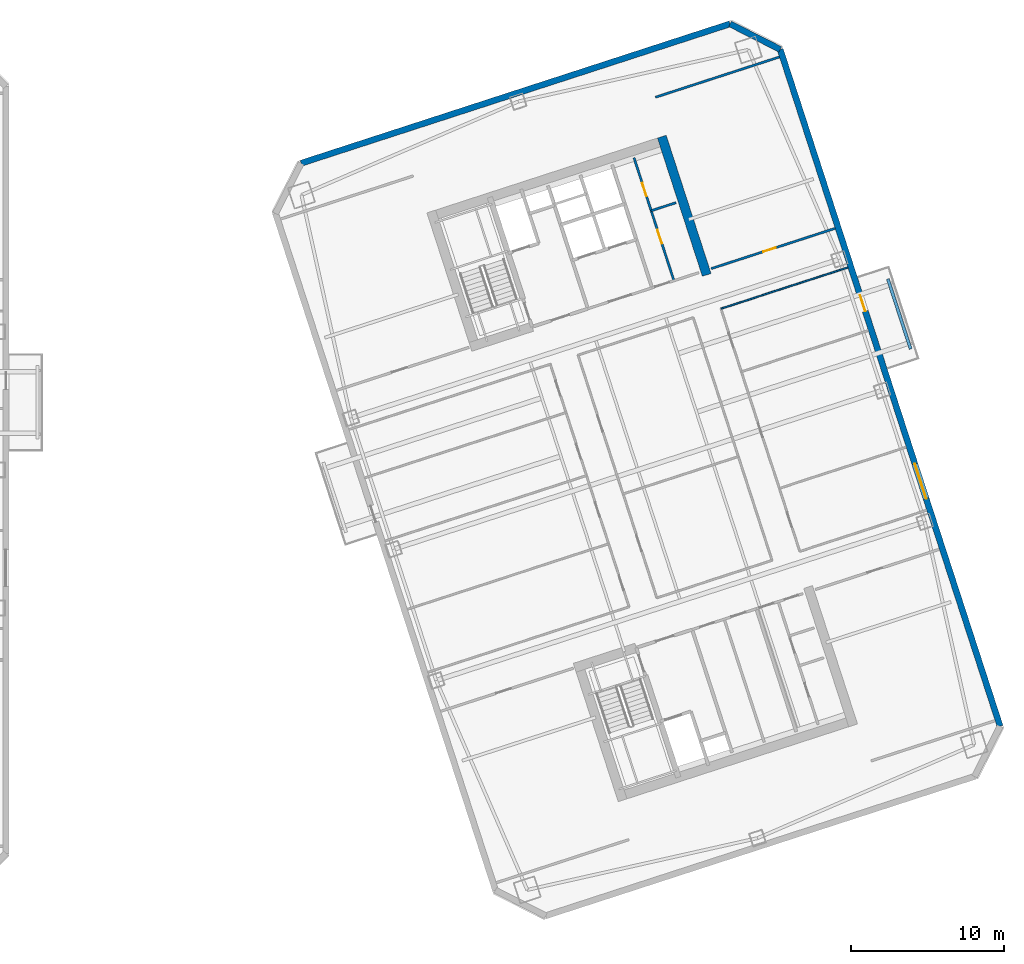
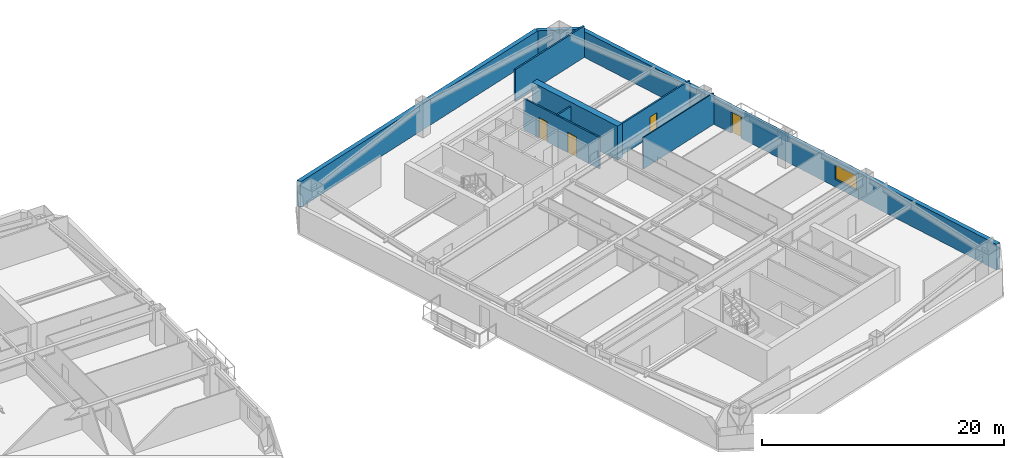
# One storey, part 9 of 15: 10 walls, 4 doors, 1 window, 5 openings.
"""IFC4 building model written with IfcOpenShell, lengths in metres."""

from ifc_helpers import new_model, si_unit, direction, frame, frame_2d, origin, place, context, subcontext, project, spatial, rectangle, extrude, material, layer, layer_set, type_object, element, fill, save


model = new_model("IFC4")

# Units and contexts
model_context = context("Model", 3, precision=1e-05, world=origin(), true_north=direction((0.0, 1.0)))
body_context = subcontext(model_context, "Body", "Model", "MODEL_VIEW")
ifc_project = project(units=[si_unit("LENGTHUNIT", "METRE"), si_unit("AREAUNIT", "SQUARE_METRE"), si_unit("VOLUMEUNIT", "CUBIC_METRE"), si_unit("PLANEANGLEUNIT", "RADIAN"), si_unit("MASSUNIT", "GRAM", prefix="KILO")], contexts=[model_context])

# Site, building, storey
site_placement = place(None, origin())
site = spatial("IfcSite", under=ifc_project, at=site_placement, CompositionType="ELEMENT")
building_placement = place(site_placement, origin())
building = spatial("IfcBuilding", under=site, at=building_placement, Name="Qiaolan Cultural Towers", CompositionType="ELEMENT")
storey_placement = place(building_placement, frame((0.0, 0.0, 113.85009765625)))
storey = spatial("IfcBuildingStorey", under=building, at=storey_placement, Name="L29", CompositionType="ELEMENT", Elevation=113.85009765625)

# Walls
ifc_material_1 = material(Name="Concrete C55", Category="concrete")
ifc_layer_1 = layer(ifc_material_1, 0.60009765625)
ifc_layer_set_1 = layer_set([ifc_layer_1], Name="Concrete C55")
wall_type_1 = type_object("IfcWallType", Name="WL-CORE-600", PredefinedType="SHEAR", material=ifc_layer_set_1)
wall_1_placement = place(storey_placement, frame((94.4921875, 46.710205078125, 0.0), z_axis=(0.0, 0.0, 1.0), x_axis=(-0.309010370028, 0.95105866865, 0.0)))
element("IfcWall", 1, at=wall_1_placement, inside=storey, type_object=wall_type_1, Name="L29 T2-CN East Core Shear Wall", PredefinedType="SHEAR", context=body_context, shape_type="SweptSolid", body=[
    extrude(rectangle(XDim=9.47998046875, YDim=0.60009765625, at=frame_2d((4.739990234375, 0.0))), origin(), (0.0, 0.0, 1.0), 3.449951171875),
])
ifc_material_2 = material(Name="Precast Concrete C50 Honed Stone Pier", Category="masonry")
ifc_layer_2 = layer(ifc_material_2, 0.39990234375)
ifc_layer_set_2 = layer_set([ifc_layer_2], Name="Precast Concrete C50 Honed Stone Pier")
wall_type_2 = type_object("IfcWallType", Name="WL-EXT-PIER-400", PredefinedType="SOLIDWALL", material=ifc_layer_set_2)
wall_2_placement = place(storey_placement, frame((68.046875, 53.99462890625, 0.0), z_axis=(0.0, 0.0, 1.0), x_axis=(0.95105505922, 0.309021478754, 0.0)))
element("IfcWall", 2, at=wall_2_placement, inside=storey, type_object=wall_type_2, Name="L29 East Tower Precast Pier Facade Wall F3", PredefinedType="SOLIDWALL", context=body_context, shape_type="SweptSolid", body=[
    extrude(rectangle(XDim=29.39990234375, YDim=0.39990234375, at=frame_2d((14.699951171875, 0.0))), origin(), (0.0, 0.0, 1.0), 2.60986328125),
])
wall_3_placement = place(storey_placement, frame((96.0078125, 63.079833984375, 0.0), z_axis=(0.0, 0.0, 1.0), x_axis=(0.891001999643, -0.45399937955, 0.0)))
element("IfcWall", 3, at=wall_3_placement, inside=storey, type_object=wall_type_2, Name="L29 East Tower Precast Pier Facade Wall F4", PredefinedType="SOLIDWALL", context=body_context, shape_type="SweptSolid", body=[
    extrude(rectangle(XDim=3.67724609375, YDim=0.39990234375, at=frame_2d((1.838623046875, 0.0))), origin(), (0.0, 0.0, 1.0), 2.60986328125),
])

# Wall, openings, door, window
wall_4_placement = place(storey_placement, frame((99.2841796875, 61.410400390625, 0.0), z_axis=(0.0, 0.0, 1.0), x_axis=(0.309017542002, -0.95105633836, 0.0)))
wall_4 = element("IfcWall", 4, at=wall_4_placement, inside=storey, type_object=wall_type_2, Name="L29 East Tower Precast Pier Facade Wall F5", PredefinedType="SOLIDWALL", context=body_context, shape_type="SweptSolid", body=[
    extrude(rectangle(XDim=46.39990234375, YDim=0.39990234375, at=frame_2d((23.199951171875, 0.0))), origin(), (0.0, 0.0, 1.0), 2.60986328125),
])
opening_1_placement = place(wall_4_placement, frame((28.39990234375, 0.0, 0.75)))
opening_1 = element("IfcOpeningElement", 5, at=opening_1_placement, cuts=wall_4, Name="Opening W-02", PredefinedType="OPENING", context=body_context, shape_type="SweptSolid", body=[
    extrude(rectangle(XDim=2.39990234375, YDim=1.4599609375, at=frame_2d((1.199951171875, 0.72998046875))), frame((0.0, 0.2099609375, 0.0), z_axis=(0.0, -1.0, 0.0), x_axis=(1.0, 0.0, 0.0)), (0.0, 0.0, 1.0), 0.419921875),
])
opening_2_placement = place(wall_4_placement, frame((16.85009765625, 0.0, 0.0)))
opening_2 = element("IfcOpeningElement", 6, at=opening_2_placement, cuts=wall_4, Name="Opening BD-01", PredefinedType="OPENING", context=body_context, shape_type="SweptSolid", body=[
    extrude(rectangle(XDim=1.10009765625, YDim=2.14990234375, at=frame_2d((0.550048828125, 1.074951171875))), frame((0.0, 0.2099609375, 0.0), z_axis=(0.0, -1.0, 0.0), x_axis=(1.0, 0.0, 0.0)), (0.0, 0.0, 1.0), 0.419921875),
])
ifc_material_3 = material(Name="Thermally Broken Aluminium Glazed Terrace Door", Category="aluminium")
door_type_1 = type_object("IfcDoorType", Name="DR-BAL-1100", OperationType="NOTDEFINED", PredefinedType="DOOR", material=ifc_material_3)
door_1_placement = place(opening_2_placement, origin())
door_1 = element("IfcDoor", 7, at=door_1_placement, inside=storey, type_object=door_type_1, Name="L29 T2 East Tree Balcony Door", OperationType="SINGLE_SWING_RIGHT", OverallHeight=2.14990234375, OverallWidth=1.10009765625, PredefinedType="DOOR", context=body_context, shape_type="SweptSolid", body=[
    extrude(rectangle(XDim=1.10009765625, YDim=2.14990234375, at=frame_2d((0.550048828125, 1.074951171875))), frame((0.0, 0.02490234375, 0.0), z_axis=(0.0, -1.0, 0.0), x_axis=(1.0, 0.0, 0.0)), (0.0, 0.0, 1.0), 0.050048828125),
])
fill(opening_2, door_1)
ifc_material_4 = material(Name="Thermally Broken Aluminium Triple Low-E Glazing", Category="aluminium")
window_type = type_object("IfcWindowType", Name="WN-CHIC-2400", PartitioningType="SINGLE_PANEL", PredefinedType="WINDOW", material=ifc_material_4)
window_placement = place(opening_1_placement, origin())
window = element("IfcWindow", 8, at=window_placement, inside=storey, type_object=window_type, Name="L29 T2 E Chicago Bay Window 1", OverallHeight=1.4599609375, OverallWidth=2.39990234375, PartitioningType="TRIPLE_PANEL_VERTICAL", PredefinedType="WINDOW", context=body_context, shape_type="SweptSolid", body=[
    extrude(rectangle(XDim=2.39990234375, YDim=1.4599609375, at=frame_2d((1.199951171875, 0.72998046875))), frame((0.0, 0.030029296875, 0.0), z_axis=(0.0, -1.0, 0.0), x_axis=(1.0, 0.0, 0.0)), (0.0, 0.0, 1.0), 0.06005859375),
])
fill(opening_1, window)

# Wall
ifc_material_5 = material(Name="Acoustic Double-Glazed Partition Frame", Category="glass")
ifc_layer_3 = layer(ifc_material_5, 0.10009765625)
ifc_layer_set_3 = layer_set([ifc_layer_3], Name="Acoustic Double-Glazed Partition Frame")
wall_type_3 = type_object("IfcWallType", Name="WL-GLAZED-100", PredefinedType="MOVABLE", material=ifc_layer_set_3)
wall_5_placement = place(storey_placement, frame((95.41796875, 44.508544921875, 0.0), z_axis=(0.0, 0.0, 1.0), x_axis=(0.951055307445, 0.309020714809, 0.0)))
element("IfcWall", 9, at=wall_5_placement, inside=storey, type_object=wall_type_3, Name="L29 T2 Interior Wall", PredefinedType="MOVABLE", context=body_context, shape_type="SweptSolid", body=[
    extrude(rectangle(XDim=8.699951171875, YDim=0.10009765625, at=frame_2d((4.35009765625, 0.0))), origin(), (0.0, 0.0, 1.0), 3.1748046875),
])

# Wall, openings, doors
ifc_material_6 = material(Name="Autoclaved Aerated Concrete Block B06", Category="concrete")
ifc_layer_4 = layer(ifc_material_6, 0.14990234375)
ifc_layer_set_4 = layer_set([ifc_layer_4], Name="Autoclaved Aerated Concrete Block B06")
wall_type_4 = type_object("IfcWallType", Name="WL-PART-150", PredefinedType="PARTITIONING", material=ifc_layer_set_4)
wall_6_placement = place(storey_placement, frame((92.354736328125, 46.3310546875, 0.0), z_axis=(0.0, 0.0, 1.0), x_axis=(-0.309007490203, 0.951059604335, 0.0)))
wall_6 = element("IfcWall", 10, at=wall_6_placement, inside=storey, type_object=wall_type_4, Name="L29 T2-CN Washroom Split Wall", PredefinedType="PARTITIONING", context=body_context, shape_type="SweptSolid", body=[
    extrude(rectangle(XDim=8.43017578125, YDim=0.14990234375, at=frame_2d((4.215087890625, 0.0))), origin(), (0.0, 0.0, 1.0), 3.1748046875),
])
opening_3_placement = place(wall_6_placement, frame((2.550048828125, 0.0, 0.0)))
opening_3 = element("IfcOpeningElement", 11, at=opening_3_placement, cuts=wall_6, Name="Opening ID-05", PredefinedType="OPENING", context=body_context, shape_type="SweptSolid", body=[
    extrude(rectangle(XDim=0.949951171875, YDim=2.050048828125, at=frame_2d((0.47509765625, 1.02490234375))), frame((0.0, 0.0849609375, 0.0), z_axis=(0.0, -1.0, 0.0), x_axis=(1.0, 0.0, 0.0)), (0.0, 0.0, 1.0), 0.169921875),
])
opening_4_placement = place(wall_6_placement, frame((5.800048828125, 0.0, 0.0)))
opening_4 = element("IfcOpeningElement", 12, at=opening_4_placement, cuts=wall_6, Name="Opening ID-06", PredefinedType="OPENING", context=body_context, shape_type="SweptSolid", body=[
    extrude(rectangle(XDim=0.89990234375, YDim=2.050048828125, at=frame_2d((0.449951171875, 1.02490234375))), frame((0.0, 0.0849609375, 0.0), z_axis=(0.0, -1.0, 0.0), x_axis=(1.0, 0.0, 0.0)), (0.0, 0.0, 1.0), 0.169921875),
])
ifc_material_7 = material(Name="Fire-Rated Laminate Core Service Door", Category="timber")
door_type_2 = type_object("IfcDoorType", Name="DR-INT-900", OperationType="NOTDEFINED", PredefinedType="DOOR", material=ifc_material_7)
door_2_placement = place(opening_4_placement, origin())
door_2 = element("IfcDoor", 13, at=door_2_placement, inside=storey, type_object=door_type_2, Name="L29 First-Aid Room Door", OperationType="SINGLE_SWING_RIGHT", OverallHeight=2.050048828125, OverallWidth=0.89990234375, PredefinedType="DOOR", context=body_context, shape_type="SweptSolid", body=[
    extrude(rectangle(XDim=0.89990234375, YDim=2.050048828125, at=frame_2d((0.449951171875, 1.02490234375))), frame((0.0, 0.02490234375, 0.0), z_axis=(0.0, -1.0, 0.0), x_axis=(1.0, 0.0, 0.0)), (0.0, 0.0, 1.0), 0.050048828125),
])
fill(opening_4, door_2)
ifc_material_8 = material(Name="Fire-Rated Laminate Accessible Core Door", Category="timber")
door_type_3 = type_object("IfcDoorType", Name="DR-INT-950", OperationType="NOTDEFINED", PredefinedType="DOOR", material=ifc_material_8)
door_3_placement = place(opening_3_placement, origin())
door_3 = element("IfcDoor", 14, at=door_3_placement, inside=storey, type_object=door_type_3, Name="L29 Accessible Washroom Door", OperationType="SINGLE_SWING_LEFT", OverallHeight=2.050048828125, OverallWidth=0.949951171875, PredefinedType="DOOR", context=body_context, shape_type="SweptSolid", body=[
    extrude(rectangle(XDim=0.949951171875, YDim=2.050048828125, at=frame_2d((0.47509765625, 1.02490234375))), frame((0.0, 0.02490234375, 0.0), z_axis=(0.0, -1.0, 0.0), x_axis=(1.0, 0.0, 0.0)), (0.0, 0.0, 1.0), 0.050048828125),
])
fill(opening_3, door_3)

# Walls
wall_7_placement = place(storey_placement, frame((90.871337890625, 50.896240234375, 0.0), z_axis=(0.0, 0.0, 1.0), x_axis=(0.951054116971, 0.309024378638, 0.0)))
element("IfcWall", 15, at=wall_7_placement, inside=storey, type_object=wall_type_4, Name="L29 T2-CN First-Aid Wall", PredefinedType="PARTITIONING", context=body_context, shape_type="SweptSolid", body=[
    extrude(rectangle(XDim=1.7001953125, YDim=0.14990234375, at=frame_2d((0.85009765625, 0.0))), origin(), (0.0, 0.0, 1.0), 3.1748046875),
])
wall_8_placement = place(storey_placement, frame((91.14892578125, 58.294189453125, 0.0), z_axis=(0.0, 0.0, 1.0), x_axis=(0.951062770994, 0.308997743729, 0.0)))
element("IfcWall", 16, at=wall_8_placement, inside=storey, type_object=wall_type_4, Name="L29 T2 Flank Wall FLK-NE", PredefinedType="PARTITIONING", context=body_context, shape_type="SweptSolid", body=[
    extrude(rectangle(XDim=8.5, YDim=0.14990234375, at=frame_2d((4.25, 0.0))), origin(), (0.0, 0.0, 1.0), 3.1748046875),
])

# Wall, opening, door
wall_9_placement = place(storey_placement, frame((94.77978515625, 47.119140625, 0.0), z_axis=(0.0, 0.0, 1.0), x_axis=(0.951054329824, 0.309023723562, 0.0)))
wall_9 = element("IfcWall", 17, at=wall_9_placement, inside=storey, type_object=wall_type_4, Name="L29 T2 Flank Front FLK-NE", PredefinedType="PARTITIONING", context=body_context, shape_type="SweptSolid", body=[
    extrude(rectangle(XDim=8.5, YDim=0.14990234375, at=frame_2d((4.25, 0.0))), origin(), (0.0, 0.0, 1.0), 3.1748046875),
])
opening_5_placement = place(wall_9_placement, frame((3.570068359375, 0.0, 0.0)))
opening_5 = element("IfcOpeningElement", 18, at=opening_5_placement, cuts=wall_9, Name="Opening ID-09", PredefinedType="OPENING", context=body_context, shape_type="SweptSolid", body=[
    extrude(rectangle(XDim=0.85009765625, YDim=2.050048828125, at=frame_2d((0.425048828125, 1.02490234375))), frame((0.0, 0.0849609375, 0.0), z_axis=(0.0, -1.0, 0.0), x_axis=(1.0, 0.0, 0.0)), (0.0, 0.0, 1.0), 0.169921875),
])
ifc_material_9 = material(Name="Moisture-Resistant Laminate Utility Door", Category="timber")
door_type_4 = type_object("IfcDoorType", Name="DR-INT-850", OperationType="NOTDEFINED", PredefinedType="DOOR", material=ifc_material_9)
door_4_placement = place(opening_5_placement, origin())
door_4 = element("IfcDoor", 19, at=door_4_placement, inside=storey, type_object=door_type_4, Name="L29 T2 Corner Studio Door", OperationType="SINGLE_SWING_LEFT", OverallHeight=2.050048828125, OverallWidth=0.85009765625, PredefinedType="DOOR", context=body_context, shape_type="SweptSolid", body=[
    extrude(rectangle(XDim=0.85009765625, YDim=2.050048828125, at=frame_2d((0.425048828125, 1.02490234375))), frame((0.0, 0.02490234375, 0.0), z_axis=(0.0, -1.0, 0.0), x_axis=(1.0, 0.0, 0.0)), (0.0, 0.0, 1.0), 0.050048828125),
])
fill(opening_5, door_4)

# Wall
ifc_material_10 = material(Name="Precast Concrete C45 Tree Planter Upstand", Category="concrete")
ifc_layer_5 = layer(ifc_material_10, 0.199951171875)
ifc_layer_set_5 = layer_set([ifc_layer_5], Name="Precast Concrete C45 Tree Planter Upstand")
wall_type_5 = type_object("IfcWallType", Name="WL-PLANTER-200", PredefinedType="PARAPET", material=ifc_layer_set_5)
wall_10_placement = place(storey_placement, frame((107.784912109375, 41.881591796875, 0.0), z_axis=(0.0, 0.0, 1.0), x_axis=(-0.309032019345, 0.951051634255, 0.0)))
element("IfcWall", 20, at=wall_10_placement, inside=storey, type_object=wall_type_5, Name="L29 T2 Tree Balcony Soil Planter Box E", PredefinedType="PARAPET", context=body_context, shape_type="SweptSolid", body=[
    extrude(rectangle(XDim=4.800048828125, YDim=0.199951171875, at=frame_2d((2.39990234375, 0.0))), origin(), (0.0, 0.0, 1.0), 0.75),
])

save(model, "model.ifc")
